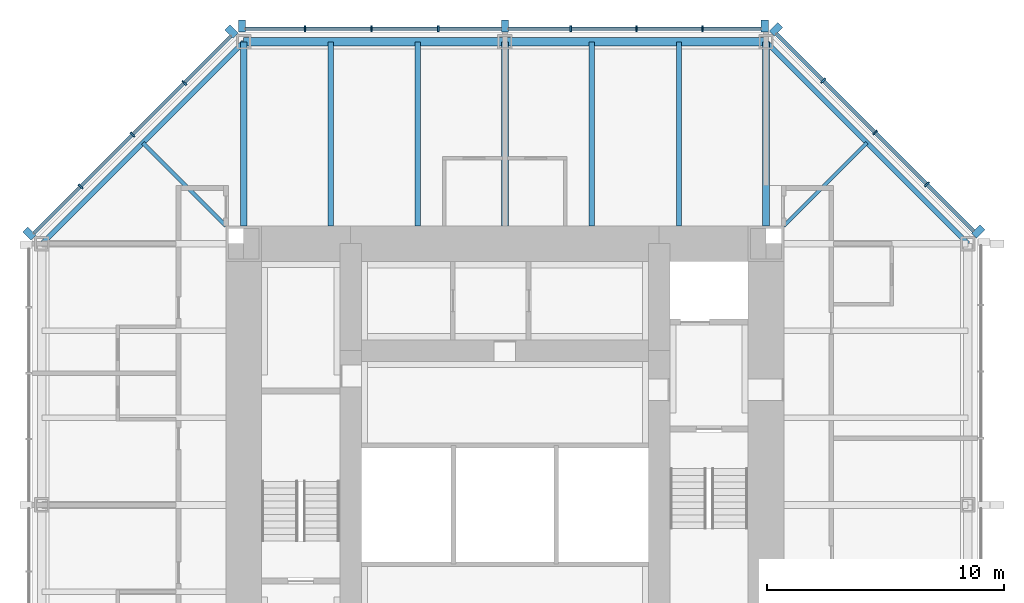
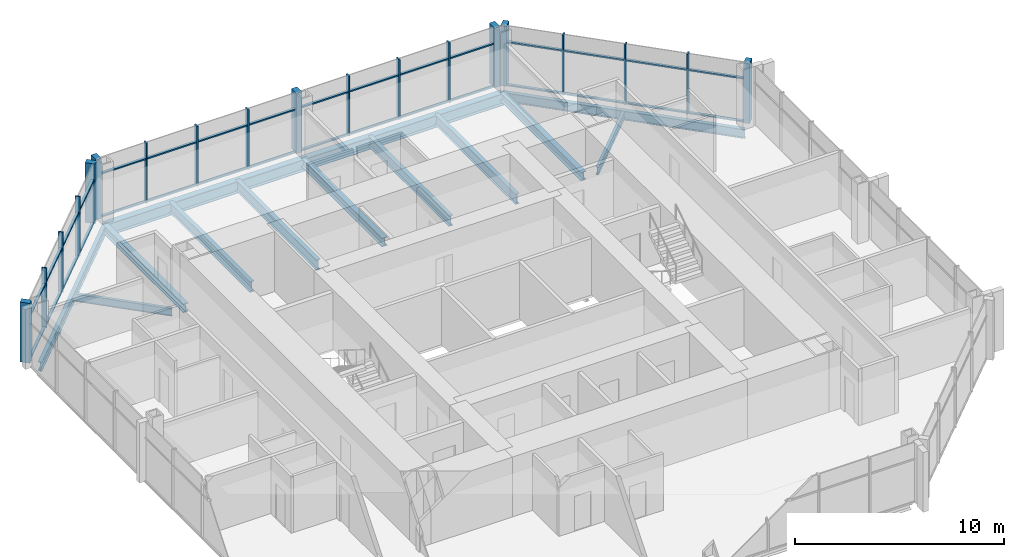
# One storey, part 5 of 11: 51 members, 13 beams, 3 elements without a shape of their own.
"""IFC4 building model written with IfcOpenShell, lengths in metres."""

from ifc_helpers import new_model, si_unit, direction, frame, origin, origin_2d, place, context, subcontext, project, spatial, rectangle, i_section, extrude, material, material_profile, profile_set, type_object, element, aggregate, save


model = new_model("IFC4")

# Units and contexts
model_context = context("Model", 3, precision=1e-05, world=origin(), true_north=direction((0.0, 1.0)))
body_context = subcontext(model_context, "Body", "Model", "MODEL_VIEW")
ifc_project = project(units=[si_unit("LENGTHUNIT", "METRE"), si_unit("AREAUNIT", "SQUARE_METRE"), si_unit("VOLUMEUNIT", "CUBIC_METRE"), si_unit("PLANEANGLEUNIT", "RADIAN"), si_unit("MASSUNIT", "GRAM", prefix="KILO")], contexts=[model_context])

# Site, building, storey
site_placement = place(None, origin())
site = spatial("IfcSite", under=ifc_project, at=site_placement, CompositionType="ELEMENT")
building_placement = place(site_placement, origin())
building = spatial("IfcBuilding", under=site, at=building_placement, Name="Trevanion Tower", CompositionType="ELEMENT")
storey_placement = place(building_placement, frame((0.0, 0.0, 225.699951171875)))
storey = spatial("IfcBuildingStorey", under=building, at=storey_placement, Name="L54", CompositionType="ELEMENT", Elevation=225.699951171875)

# Beams
ifc_material_1 = material(Name="Steel ASTM A992 Grade 50", Category="steel")
ifc_material_profile_1 = material_profile(ifc_material_1, i_section(OverallWidth=0.228271484375, OverallDepth=0.607177734375, WebThickness=0.01123046875, FlangeThickness=0.017333984375, at=origin_2d()), Name="W24X76")
ifc_profile_set_1 = profile_set([ifc_material_profile_1], Name="Steel ASTM A992 Grade 50")
beam_type_1 = type_object("IfcBeamType", Name="B11 W24X76", PredefinedType="BEAM", material=ifc_profile_set_1)
for number, where, z_axis, x_axis, name in (
    (1, (7.333251953125, 11.75, -0.493408203125), (0.0, 1.0, 0.0), (-1.0, 0.0, 0.0), "B11 L54"),
    (2, (3.666748046875, 11.75, -0.493408203125), (0.0, 1.0, 0.0), (-1.0, 0.0, 0.0), "B11 L54"),
    (3, (-3.666748046875, 11.75, -0.493408203125), (0.0, 1.0, 0.0), (-1.0, 0.0, 0.0), "B11 L54"),
    (4, (-7.333251953125, 11.75, -0.493408203125), (0.0, 1.0, 0.0), (-1.0, 0.0, 0.0), "B11 L54"),
):
    element("IfcBeam", number, at=place(storey_placement, frame(where, z_axis=z_axis, x_axis=x_axis)), inside=storey, type_object=beam_type_1, Name=name, PredefinedType="BEAM", context=body_context, shape_type="SweptSolid", body=[
        extrude(i_section(OverallWidth=0.228271484375, OverallDepth=0.607177734375, WebThickness=0.01123046875, FlangeThickness=0.017333984375, at=origin_2d()), origin(), (0.0, 0.0, 1.0), 7.75),
    ])
ifc_material_2 = material(Name="Steel ASTM A992 Grade 50", Category="steel")
ifc_material_profile_2 = material_profile(ifc_material_2, i_section(OverallWidth=0.15234375, OverallDepth=0.449462890625, WebThickness=0.007568359375, FlangeThickness=0.0107421875, at=origin_2d()), Name="W18X35")
ifc_profile_set_2 = profile_set([ifc_material_profile_2], Name="Steel ASTM A992 Grade 50")
beam_type_2 = type_object("IfcBeamType", Name="B12 W18X35", PredefinedType="BEAM", material=ifc_profile_set_2)
for number, where, z_axis, x_axis, name in (
    (5, (11.75, 11.75, -0.414794921875), (0.707106781187, 0.707106781187, 0.0), (-0.707106781187, 0.707106781187, 0.0), "B12 L54"),
    (6, (-11.75, 11.75, -0.414794921875), (-0.707106781187, 0.707106781187, 0.0), (-0.707106781187, -0.707106781187, 0.0), "B12 L54"),
):
    element("IfcBeam", number, at=place(storey_placement, frame(where, z_axis=z_axis, x_axis=x_axis)), inside=storey, type_object=beam_type_2, Name=name, PredefinedType="BEAM", context=body_context, shape_type="SweptSolid", body=[
        extrude(i_section(OverallWidth=0.15234375, OverallDepth=0.449462890625, WebThickness=0.007568359375, FlangeThickness=0.0107421875, at=origin_2d()), origin(), (0.0, 0.0, 1.0), 4.94970703125),
    ])

# Curtain wall, members
ifc_material_3 = material(Name="Aluminium and glass", Category="aluminium")
curtain_wall_type = type_object("IfcCurtainWallType", Name="CW3 curtain wall", PredefinedType="USERDEFINED", material=ifc_material_3)
curtain_wall_1_placement = place(storey_placement, origin())
curtain_wall_1 = element("IfcCurtainWall", 7, at=curtain_wall_1_placement, inside=storey, type_object=curtain_wall_type, Name="CW3 L54 1", ObjectType="UNITISED CURTAIN WALL", PredefinedType="USERDEFINED")
ifc_material_4 = material(Name="Aluminium extrusion, anodised bronze", Category="aluminium")
ifc_material_profile_3 = material_profile(ifc_material_4, rectangle(XDim=0.074951171875, YDim=0.25, at=origin_2d()), Name="CW3 mullion")
ifc_profile_set_3 = profile_set([ifc_material_profile_3], Name="Aluminium extrusion, anodised bronze")
member_type_1 = type_object("IfcMemberType", Name="CW3 mullion", PredefinedType="MULLION", material=ifc_profile_set_3)
member_1_placement = place(storey_placement, frame((17.775390625, 13.502197265625, -0.18994140625), z_axis=(0.0, 0.0, 1.0), x_axis=(-0.707106781187, 0.707106781187, 0.0)))
member_1 = element("IfcMember", 8, at=member_1_placement, type_object=member_type_1, Name="CW3 mullion 2", PredefinedType="MULLION", context=body_context, shape_type="SweptSolid", body=[
    extrude(rectangle(XDim=0.074951171875, YDim=0.25, at=origin_2d()), origin(), (0.0, 0.0, 1.0), 3.5),
])
member_2_placement = place(storey_placement, frame((15.593017578125, 15.684814453125, -0.18994140625), z_axis=(0.0, 0.0, 1.0), x_axis=(-0.707106781187, 0.707106781187, 0.0)))
member_2 = element("IfcMember", 9, at=member_2_placement, type_object=member_type_1, Name="CW3 mullion 3", PredefinedType="MULLION", context=body_context, shape_type="SweptSolid", body=[
    extrude(rectangle(XDim=0.074951171875, YDim=0.25, at=origin_2d()), origin(), (0.0, 0.0, 1.0), 3.5),
])
member_3_placement = place(storey_placement, frame((13.410400390625, 17.867431640625, -0.18994140625), z_axis=(0.0, 0.0, 1.0), x_axis=(-0.707106781187, 0.707106781187, 0.0)))
member_3 = element("IfcMember", 10, at=member_3_placement, type_object=member_type_1, Name="CW3 mullion 4", PredefinedType="MULLION", context=body_context, shape_type="SweptSolid", body=[
    extrude(rectangle(XDim=0.074951171875, YDim=0.25, at=origin_2d()), origin(), (0.0, 0.0, 1.0), 3.5),
])

curtain_wall_2_placement = place(storey_placement, origin())
curtain_wall_2 = element("IfcCurtainWall", 11, at=curtain_wall_2_placement, inside=storey, type_object=curtain_wall_type, Name="CW3 L54 2", ObjectType="UNITISED CURTAIN WALL", PredefinedType="USERDEFINED")
member_4_placement = place(storey_placement, frame((8.323486328125, 20.050048828125, -0.18994140625), z_axis=(0.0, 0.0, 1.0), x_axis=(-1.0, 0.0, 0.0)))
member_4 = element("IfcMember", 12, at=member_4_placement, type_object=member_type_1, Name="CW3 mullion 2", PredefinedType="MULLION", context=body_context, shape_type="SweptSolid", body=[
    extrude(rectangle(XDim=0.074951171875, YDim=0.25, at=origin_2d()), origin(), (0.0, 0.0, 1.0), 3.5),
])
member_5_placement = place(storey_placement, frame((5.548828125, 20.050048828125, -0.18994140625), z_axis=(0.0, 0.0, 1.0), x_axis=(-1.0, 0.0, 0.0)))
member_5 = element("IfcMember", 13, at=member_5_placement, type_object=member_type_1, Name="CW3 mullion 3", PredefinedType="MULLION", context=body_context, shape_type="SweptSolid", body=[
    extrude(rectangle(XDim=0.074951171875, YDim=0.25, at=origin_2d()), origin(), (0.0, 0.0, 1.0), 3.5),
])
member_6_placement = place(storey_placement, frame((2.7744140625, 20.050048828125, -0.18994140625), z_axis=(0.0, 0.0, 1.0), x_axis=(-1.0, 0.0, 0.0)))
member_6 = element("IfcMember", 14, at=member_6_placement, type_object=member_type_1, Name="CW3 mullion 4", PredefinedType="MULLION", context=body_context, shape_type="SweptSolid", body=[
    extrude(rectangle(XDim=0.074951171875, YDim=0.25, at=origin_2d()), origin(), (0.0, 0.0, 1.0), 3.5),
])
member_7_placement = place(storey_placement, frame((-2.806884765625, 20.050048828125, -0.18994140625), z_axis=(0.0, 0.0, 1.0), x_axis=(-1.0, 0.0, 0.0)))
member_7 = element("IfcMember", 15, at=member_7_placement, type_object=member_type_1, Name="CW3 mullion 6", PredefinedType="MULLION", context=body_context, shape_type="SweptSolid", body=[
    extrude(rectangle(XDim=0.074951171875, YDim=0.25, at=origin_2d()), origin(), (0.0, 0.0, 1.0), 3.5),
])
member_8_placement = place(storey_placement, frame((-5.614013671875, 20.050048828125, -0.18994140625), z_axis=(0.0, 0.0, 1.0), x_axis=(-1.0, 0.0, 0.0)))
member_8 = element("IfcMember", 16, at=member_8_placement, type_object=member_type_1, Name="CW3 mullion 7", PredefinedType="MULLION", context=body_context, shape_type="SweptSolid", body=[
    extrude(rectangle(XDim=0.074951171875, YDim=0.25, at=origin_2d()), origin(), (0.0, 0.0, 1.0), 3.5),
])
member_9_placement = place(storey_placement, frame((-8.4208984375, 20.050048828125, -0.18994140625), z_axis=(0.0, 0.0, 1.0), x_axis=(-1.0, 0.0, 0.0)))
member_9 = element("IfcMember", 17, at=member_9_placement, type_object=member_type_1, Name="CW3 mullion 8", PredefinedType="MULLION", context=body_context, shape_type="SweptSolid", body=[
    extrude(rectangle(XDim=0.074951171875, YDim=0.25, at=origin_2d()), origin(), (0.0, 0.0, 1.0), 3.5),
])

curtain_wall_3_placement = place(storey_placement, origin())
curtain_wall_3 = element("IfcCurtainWall", 18, at=curtain_wall_3_placement, inside=storey, type_object=curtain_wall_type, Name="CW3 L54 3", ObjectType="UNITISED CURTAIN WALL", PredefinedType="USERDEFINED")
member_10_placement = place(storey_placement, frame((-13.502197265625, 17.775390625, -0.18994140625), z_axis=(0.0, 0.0, 1.0), x_axis=(-0.707106781187, -0.707106781187, 0.0)))
member_10 = element("IfcMember", 19, at=member_10_placement, type_object=member_type_1, Name="CW3 mullion 2", PredefinedType="MULLION", context=body_context, shape_type="SweptSolid", body=[
    extrude(rectangle(XDim=0.074951171875, YDim=0.25, at=origin_2d()), origin(), (0.0, 0.0, 1.0), 3.5),
])
member_11_placement = place(storey_placement, frame((-15.684814453125, 15.593017578125, -0.18994140625), z_axis=(0.0, 0.0, 1.0), x_axis=(-0.707106781187, -0.707106781187, 0.0)))
member_11 = element("IfcMember", 20, at=member_11_placement, type_object=member_type_1, Name="CW3 mullion 3", PredefinedType="MULLION", context=body_context, shape_type="SweptSolid", body=[
    extrude(rectangle(XDim=0.074951171875, YDim=0.25, at=origin_2d()), origin(), (0.0, 0.0, 1.0), 3.5),
])
member_12_placement = place(storey_placement, frame((-17.867431640625, 13.410400390625, -0.18994140625), z_axis=(0.0, 0.0, 1.0), x_axis=(-0.707106781187, -0.707106781187, 0.0)))
member_12 = element("IfcMember", 21, at=member_12_placement, type_object=member_type_1, Name="CW3 mullion 4", PredefinedType="MULLION", context=body_context, shape_type="SweptSolid", body=[
    extrude(rectangle(XDim=0.074951171875, YDim=0.25, at=origin_2d()), origin(), (0.0, 0.0, 1.0), 3.5),
])

# Member
ifc_material_5 = material(Name="Aluminium extrusion, anodised bronze", Category="aluminium")
ifc_material_profile_4 = material_profile(ifc_material_5, rectangle(XDim=0.300048828125, YDim=0.5, at=origin_2d()), Name="CW3 pier mullion")
ifc_profile_set_4 = profile_set([ifc_material_profile_4], Name="Aluminium extrusion, anodised bronze")
member_type_2 = type_object("IfcMemberType", Name="CW3 pier mullion", PredefinedType="MULLION", material=ifc_profile_set_4)
member_13_placement = place(storey_placement, frame((19.9404296875, 11.51416015625, -0.18994140625), z_axis=(0.0, 0.0, 1.0), x_axis=(-0.707106781187, 0.707106781187, 0.0)))
member_13 = element("IfcMember", 22, at=member_13_placement, type_object=member_type_2, Name="CW3 pier mullion 1", PredefinedType="MULLION", context=body_context, shape_type="SweptSolid", body=[
    extrude(rectangle(XDim=0.300048828125, YDim=0.5, at=origin_2d()), origin(), (0.0, 0.0, 1.0), 3.5),
])

member_14_placement = place(storey_placement, frame((11.42236328125, 20.0322265625, -0.18994140625), z_axis=(0.0, 0.0, 1.0), x_axis=(-0.707106781187, 0.707106781187, 0.0)))
member_14 = element("IfcMember", 23, at=member_14_placement, type_object=member_type_2, Name="CW3 pier mullion 5", PredefinedType="MULLION", context=body_context, shape_type="SweptSolid", body=[
    extrude(rectangle(XDim=0.300048828125, YDim=0.5, at=origin_2d()), origin(), (0.0, 0.0, 1.0), 3.5),
])

member_15_placement = place(storey_placement, frame((10.94775390625, 20.175048828125, -0.18994140625), z_axis=(0.0, 0.0, 1.0), x_axis=(-1.0, 0.0, 0.0)))
member_15 = element("IfcMember", 24, at=member_15_placement, type_object=member_type_2, Name="CW3 pier mullion 1", PredefinedType="MULLION", context=body_context, shape_type="SweptSolid", body=[
    extrude(rectangle(XDim=0.300048828125, YDim=0.5, at=origin_2d()), origin(), (0.0, 0.0, 1.0), 3.5),
])

member_16_placement = place(storey_placement, frame((0.0, 20.175048828125, -0.18994140625), z_axis=(0.0, 0.0, 1.0), x_axis=(-1.0, 0.0, 0.0)))
member_16 = element("IfcMember", 25, at=member_16_placement, type_object=member_type_2, Name="CW3 pier mullion 5", PredefinedType="MULLION", context=body_context, shape_type="SweptSolid", body=[
    extrude(rectangle(XDim=0.300048828125, YDim=0.5, at=origin_2d()), origin(), (0.0, 0.0, 1.0), 3.5),
])

member_17_placement = place(storey_placement, frame((-11.077880859375, 20.175048828125, -0.18994140625), z_axis=(0.0, 0.0, 1.0), x_axis=(-1.0, 0.0, 0.0)))
member_17 = element("IfcMember", 26, at=member_17_placement, type_object=member_type_2, Name="CW3 pier mullion 9", PredefinedType="MULLION", context=body_context, shape_type="SweptSolid", body=[
    extrude(rectangle(XDim=0.300048828125, YDim=0.5, at=origin_2d()), origin(), (0.0, 0.0, 1.0), 3.5),
])

member_18_placement = place(storey_placement, frame((-11.51416015625, 19.9404296875, -0.18994140625), z_axis=(0.0, 0.0, 1.0), x_axis=(-0.707106781187, -0.707106781187, 0.0)))
member_18 = element("IfcMember", 27, at=member_18_placement, type_object=member_type_2, Name="CW3 pier mullion 1", PredefinedType="MULLION", context=body_context, shape_type="SweptSolid", body=[
    extrude(rectangle(XDim=0.300048828125, YDim=0.5, at=origin_2d()), origin(), (0.0, 0.0, 1.0), 3.5),
])

member_19_placement = place(storey_placement, frame((-20.0322265625, 11.42236328125, -0.18994140625), z_axis=(0.0, 0.0, 1.0), x_axis=(-0.707106781187, -0.707106781187, 0.0)))
member_19 = element("IfcMember", 28, at=member_19_placement, type_object=member_type_2, Name="CW3 pier mullion 5", PredefinedType="MULLION", context=body_context, shape_type="SweptSolid", body=[
    extrude(rectangle(XDim=0.300048828125, YDim=0.5, at=origin_2d()), origin(), (0.0, 0.0, 1.0), 3.5),
])

ifc_material_6 = material(Name="Aluminium extrusion, anodised bronze", Category="aluminium")
ifc_material_profile_5 = material_profile(ifc_material_6, rectangle(XDim=0.14990234375, YDim=0.074951171875, at=origin_2d()), Name="CW3 transom")
ifc_profile_set_5 = profile_set([ifc_material_profile_5], Name="Aluminium extrusion, anodised bronze")
member_type_3 = type_object("IfcMemberType", Name="CW3 transom", PredefinedType="USERDEFINED", material=ifc_profile_set_5)
member_20_placement = place(storey_placement, frame((19.745849609375, 11.531982421875, -0.15234375), z_axis=(-0.707106781187, 0.707106781187, 0.0), x_axis=(-0.707106781187, -0.707106781187, 0.0)))
member_20 = element("IfcMember", 29, at=member_20_placement, type_object=member_type_3, Name="CW3 transom 1.1", ObjectType="TRANSOM", PredefinedType="USERDEFINED", context=body_context, shape_type="SweptSolid", body=[
    extrude(rectangle(XDim=0.14990234375, YDim=0.074951171875, at=origin_2d()), origin(), (0.0, 0.0, 1.0), 2.7490234375),
])

member_21_placement = place(storey_placement, frame((19.745849609375, 11.531982421875, 2.360107421875), z_axis=(-0.707106781187, 0.707106781187, 0.0), x_axis=(-0.707106781187, -0.707106781187, 0.0)))
member_21 = element("IfcMember", 30, at=member_21_placement, type_object=member_type_3, Name="CW3 transom 1.2", ObjectType="TRANSOM", PredefinedType="USERDEFINED", context=body_context, shape_type="SweptSolid", body=[
    extrude(rectangle(XDim=0.14990234375, YDim=0.074951171875, at=origin_2d()), origin(), (0.0, 0.0, 1.0), 2.7490234375),
])

member_22_placement = place(storey_placement, frame((17.7490234375, 13.52880859375, -0.15234375), z_axis=(-0.707106781187, 0.707106781187, 0.0), x_axis=(-0.707106781187, -0.707106781187, 0.0)))
member_22 = element("IfcMember", 31, at=member_22_placement, type_object=member_type_3, Name="CW3 transom 2.1", ObjectType="TRANSOM", PredefinedType="USERDEFINED", context=body_context, shape_type="SweptSolid", body=[
    extrude(rectangle(XDim=0.14990234375, YDim=0.074951171875, at=origin_2d()), origin(), (0.0, 0.0, 1.0), 3.01171875),
])

member_23_placement = place(storey_placement, frame((17.7490234375, 13.52880859375, 2.360107421875), z_axis=(-0.707106781187, 0.707106781187, 0.0), x_axis=(-0.707106781187, -0.707106781187, 0.0)))
member_23 = element("IfcMember", 32, at=member_23_placement, type_object=member_type_3, Name="CW3 transom 2.2", ObjectType="TRANSOM", PredefinedType="USERDEFINED", context=body_context, shape_type="SweptSolid", body=[
    extrude(rectangle(XDim=0.14990234375, YDim=0.074951171875, at=origin_2d()), origin(), (0.0, 0.0, 1.0), 3.01171875),
])

member_24_placement = place(storey_placement, frame((15.56640625, 15.71142578125, -0.15234375), z_axis=(-0.707106781187, 0.707106781187, 0.0), x_axis=(-0.707106781187, -0.707106781187, 0.0)))
member_24 = element("IfcMember", 33, at=member_24_placement, type_object=member_type_3, Name="CW3 transom 3.1", ObjectType="TRANSOM", PredefinedType="USERDEFINED", context=body_context, shape_type="SweptSolid", body=[
    extrude(rectangle(XDim=0.14990234375, YDim=0.074951171875, at=origin_2d()), origin(), (0.0, 0.0, 1.0), 3.011474609375),
])

member_25_placement = place(storey_placement, frame((15.56640625, 15.71142578125, 2.360107421875), z_axis=(-0.707106781187, 0.707106781187, 0.0), x_axis=(-0.707106781187, -0.707106781187, 0.0)))
member_25 = element("IfcMember", 34, at=member_25_placement, type_object=member_type_3, Name="CW3 transom 3.2", ObjectType="TRANSOM", PredefinedType="USERDEFINED", context=body_context, shape_type="SweptSolid", body=[
    extrude(rectangle(XDim=0.14990234375, YDim=0.074951171875, at=origin_2d()), origin(), (0.0, 0.0, 1.0), 3.011474609375),
])

member_26_placement = place(storey_placement, frame((13.3837890625, 17.89404296875, -0.15234375), z_axis=(-0.707106781187, 0.707106781187, 0.0), x_axis=(-0.707106781187, -0.707106781187, 0.0)))
member_26 = element("IfcMember", 35, at=member_26_placement, type_object=member_type_3, Name="CW3 transom 4.1", ObjectType="TRANSOM", PredefinedType="USERDEFINED", context=body_context, shape_type="SweptSolid", body=[
    extrude(rectangle(XDim=0.14990234375, YDim=0.074951171875, at=origin_2d()), origin(), (0.0, 0.0, 1.0), 2.7490234375),
])

member_27_placement = place(storey_placement, frame((13.3837890625, 17.89404296875, 2.360107421875), z_axis=(-0.707106781187, 0.707106781187, 0.0), x_axis=(-0.707106781187, -0.707106781187, 0.0)))
member_27 = element("IfcMember", 36, at=member_27_placement, type_object=member_type_3, Name="CW3 transom 4.2", ObjectType="TRANSOM", PredefinedType="USERDEFINED", context=body_context, shape_type="SweptSolid", body=[
    extrude(rectangle(XDim=0.14990234375, YDim=0.074951171875, at=origin_2d()), origin(), (0.0, 0.0, 1.0), 2.7490234375),
])

aggregate(curtain_wall_1, [member_13, member_1, member_2, member_3, member_14, member_20, member_21, member_22, member_23, member_24, member_25, member_26, member_27])

member_28_placement = place(storey_placement, frame((10.7978515625, 20.050048828125, -0.15234375), z_axis=(-1.0, 0.0, 0.0), x_axis=(0.0, -1.0, 0.0)))
member_28 = element("IfcMember", 37, at=member_28_placement, type_object=member_type_3, Name="CW3 transom 1.1", ObjectType="TRANSOM", PredefinedType="USERDEFINED", context=body_context, shape_type="SweptSolid", body=[
    extrude(rectangle(XDim=0.14990234375, YDim=0.074951171875, at=origin_2d()), origin(), (0.0, 0.0, 1.0), 2.43701171875),
])

member_29_placement = place(storey_placement, frame((10.7978515625, 20.050048828125, 2.360107421875), z_axis=(-1.0, 0.0, 0.0), x_axis=(0.0, -1.0, 0.0)))
member_29 = element("IfcMember", 38, at=member_29_placement, type_object=member_type_3, Name="CW3 transom 1.2", ObjectType="TRANSOM", PredefinedType="USERDEFINED", context=body_context, shape_type="SweptSolid", body=[
    extrude(rectangle(XDim=0.14990234375, YDim=0.074951171875, at=origin_2d()), origin(), (0.0, 0.0, 1.0), 2.43701171875),
])

member_30_placement = place(storey_placement, frame((8.285888671875, 20.050048828125, -0.15234375), z_axis=(-1.0, 0.0, 0.0), x_axis=(0.0, -1.0, 0.0)))
member_30 = element("IfcMember", 39, at=member_30_placement, type_object=member_type_3, Name="CW3 transom 2.1", ObjectType="TRANSOM", PredefinedType="USERDEFINED", context=body_context, shape_type="SweptSolid", body=[
    extrude(rectangle(XDim=0.14990234375, YDim=0.074951171875, at=origin_2d()), origin(), (0.0, 0.0, 1.0), 2.699462890625),
])

member_31_placement = place(storey_placement, frame((8.285888671875, 20.050048828125, 2.360107421875), z_axis=(-1.0, 0.0, 0.0), x_axis=(0.0, -1.0, 0.0)))
member_31 = element("IfcMember", 40, at=member_31_placement, type_object=member_type_3, Name="CW3 transom 2.2", ObjectType="TRANSOM", PredefinedType="USERDEFINED", context=body_context, shape_type="SweptSolid", body=[
    extrude(rectangle(XDim=0.14990234375, YDim=0.074951171875, at=origin_2d()), origin(), (0.0, 0.0, 1.0), 2.699462890625),
])

member_32_placement = place(storey_placement, frame((5.511474609375, 20.050048828125, -0.15234375), z_axis=(-1.0, 0.0, 0.0), x_axis=(0.0, -1.0, 0.0)))
member_32 = element("IfcMember", 41, at=member_32_placement, type_object=member_type_3, Name="CW3 transom 3.1", ObjectType="TRANSOM", PredefinedType="USERDEFINED", context=body_context, shape_type="SweptSolid", body=[
    extrude(rectangle(XDim=0.14990234375, YDim=0.074951171875, at=origin_2d()), origin(), (0.0, 0.0, 1.0), 2.699462890625),
])

member_33_placement = place(storey_placement, frame((5.511474609375, 20.050048828125, 2.360107421875), z_axis=(-1.0, 0.0, 0.0), x_axis=(0.0, -1.0, 0.0)))
member_33 = element("IfcMember", 42, at=member_33_placement, type_object=member_type_3, Name="CW3 transom 3.2", ObjectType="TRANSOM", PredefinedType="USERDEFINED", context=body_context, shape_type="SweptSolid", body=[
    extrude(rectangle(XDim=0.14990234375, YDim=0.074951171875, at=origin_2d()), origin(), (0.0, 0.0, 1.0), 2.699462890625),
])

member_34_placement = place(storey_placement, frame((2.737060546875, 20.050048828125, -0.15234375), z_axis=(-1.0, 0.0, 0.0), x_axis=(0.0, -1.0, 0.0)))
member_34 = element("IfcMember", 43, at=member_34_placement, type_object=member_type_3, Name="CW3 transom 4.1", ObjectType="TRANSOM", PredefinedType="USERDEFINED", context=body_context, shape_type="SweptSolid", body=[
    extrude(rectangle(XDim=0.14990234375, YDim=0.074951171875, at=origin_2d()), origin(), (0.0, 0.0, 1.0), 2.587158203125),
])

member_35_placement = place(storey_placement, frame((2.737060546875, 20.050048828125, 2.360107421875), z_axis=(-1.0, 0.0, 0.0), x_axis=(0.0, -1.0, 0.0)))
member_35 = element("IfcMember", 44, at=member_35_placement, type_object=member_type_3, Name="CW3 transom 4.2", ObjectType="TRANSOM", PredefinedType="USERDEFINED", context=body_context, shape_type="SweptSolid", body=[
    extrude(rectangle(XDim=0.14990234375, YDim=0.074951171875, at=origin_2d()), origin(), (0.0, 0.0, 1.0), 2.587158203125),
])

member_36_placement = place(storey_placement, frame((-0.14990234375, 20.050048828125, -0.15234375), z_axis=(-1.0, 0.0, 0.0), x_axis=(0.0, -1.0, 0.0)))
member_36 = element("IfcMember", 45, at=member_36_placement, type_object=member_type_3, Name="CW3 transom 5.1", ObjectType="TRANSOM", PredefinedType="USERDEFINED", context=body_context, shape_type="SweptSolid", body=[
    extrude(rectangle(XDim=0.14990234375, YDim=0.074951171875, at=origin_2d()), origin(), (0.0, 0.0, 1.0), 2.619384765625),
])

member_37_placement = place(storey_placement, frame((-0.14990234375, 20.050048828125, 2.360107421875), z_axis=(-1.0, 0.0, 0.0), x_axis=(0.0, -1.0, 0.0)))
member_37 = element("IfcMember", 46, at=member_37_placement, type_object=member_type_3, Name="CW3 transom 5.2", ObjectType="TRANSOM", PredefinedType="USERDEFINED", context=body_context, shape_type="SweptSolid", body=[
    extrude(rectangle(XDim=0.14990234375, YDim=0.074951171875, at=origin_2d()), origin(), (0.0, 0.0, 1.0), 2.619384765625),
])

member_38_placement = place(storey_placement, frame((-2.844482421875, 20.050048828125, -0.15234375), z_axis=(-1.0, 0.0, 0.0), x_axis=(0.0, -1.0, 0.0)))
member_38 = element("IfcMember", 47, at=member_38_placement, type_object=member_type_3, Name="CW3 transom 6.1", ObjectType="TRANSOM", PredefinedType="USERDEFINED", context=body_context, shape_type="SweptSolid", body=[
    extrude(rectangle(XDim=0.14990234375, YDim=0.074951171875, at=origin_2d()), origin(), (0.0, 0.0, 1.0), 2.73193359375),
])

member_39_placement = place(storey_placement, frame((-2.844482421875, 20.050048828125, 2.360107421875), z_axis=(-1.0, 0.0, 0.0), x_axis=(0.0, -1.0, 0.0)))
member_39 = element("IfcMember", 48, at=member_39_placement, type_object=member_type_3, Name="CW3 transom 6.2", ObjectType="TRANSOM", PredefinedType="USERDEFINED", context=body_context, shape_type="SweptSolid", body=[
    extrude(rectangle(XDim=0.14990234375, YDim=0.074951171875, at=origin_2d()), origin(), (0.0, 0.0, 1.0), 2.73193359375),
])

member_40_placement = place(storey_placement, frame((-5.6513671875, 20.050048828125, -0.15234375), z_axis=(-1.0, 0.0, 0.0), x_axis=(0.0, -1.0, 0.0)))
member_40 = element("IfcMember", 49, at=member_40_placement, type_object=member_type_3, Name="CW3 transom 7.1", ObjectType="TRANSOM", PredefinedType="USERDEFINED", context=body_context, shape_type="SweptSolid", body=[
    extrude(rectangle(XDim=0.14990234375, YDim=0.074951171875, at=origin_2d()), origin(), (0.0, 0.0, 1.0), 2.73193359375),
])

member_41_placement = place(storey_placement, frame((-5.6513671875, 20.050048828125, 2.360107421875), z_axis=(-1.0, 0.0, 0.0), x_axis=(0.0, -1.0, 0.0)))
member_41 = element("IfcMember", 50, at=member_41_placement, type_object=member_type_3, Name="CW3 transom 7.2", ObjectType="TRANSOM", PredefinedType="USERDEFINED", context=body_context, shape_type="SweptSolid", body=[
    extrude(rectangle(XDim=0.14990234375, YDim=0.074951171875, at=origin_2d()), origin(), (0.0, 0.0, 1.0), 2.73193359375),
])

member_42_placement = place(storey_placement, frame((-8.45849609375, 20.050048828125, -0.15234375), z_axis=(-1.0, 0.0, 0.0), x_axis=(0.0, -1.0, 0.0)))
member_42 = element("IfcMember", 51, at=member_42_placement, type_object=member_type_3, Name="CW3 transom 8.1", ObjectType="TRANSOM", PredefinedType="USERDEFINED", context=body_context, shape_type="SweptSolid", body=[
    extrude(rectangle(XDim=0.14990234375, YDim=0.074951171875, at=origin_2d()), origin(), (0.0, 0.0, 1.0), 2.46923828125),
])

member_43_placement = place(storey_placement, frame((-8.45849609375, 20.050048828125, 2.360107421875), z_axis=(-1.0, 0.0, 0.0), x_axis=(0.0, -1.0, 0.0)))
member_43 = element("IfcMember", 52, at=member_43_placement, type_object=member_type_3, Name="CW3 transom 8.2", ObjectType="TRANSOM", PredefinedType="USERDEFINED", context=body_context, shape_type="SweptSolid", body=[
    extrude(rectangle(XDim=0.14990234375, YDim=0.074951171875, at=origin_2d()), origin(), (0.0, 0.0, 1.0), 2.46923828125),
])

aggregate(curtain_wall_2, [member_15, member_4, member_5, member_6, member_16, member_7, member_8, member_9, member_17, member_28, member_29, member_30, member_31, member_32, member_33, member_34, member_35, member_36, member_37, member_38, member_39, member_40, member_41, member_42, member_43])

member_44_placement = place(storey_placement, frame((-11.531982421875, 19.745849609375, -0.15234375), z_axis=(-0.707106781187, -0.707106781187, 0.0), x_axis=(0.707106781187, -0.707106781187, 0.0)))
member_44 = element("IfcMember", 53, at=member_44_placement, type_object=member_type_3, Name="CW3 transom 1.1", ObjectType="TRANSOM", PredefinedType="USERDEFINED", context=body_context, shape_type="SweptSolid", body=[
    extrude(rectangle(XDim=0.14990234375, YDim=0.074951171875, at=origin_2d()), origin(), (0.0, 0.0, 1.0), 2.7490234375),
])

member_45_placement = place(storey_placement, frame((-11.531982421875, 19.745849609375, 2.360107421875), z_axis=(-0.707106781187, -0.707106781187, 0.0), x_axis=(0.707106781187, -0.707106781187, 0.0)))
member_45 = element("IfcMember", 54, at=member_45_placement, type_object=member_type_3, Name="CW3 transom 1.2", ObjectType="TRANSOM", PredefinedType="USERDEFINED", context=body_context, shape_type="SweptSolid", body=[
    extrude(rectangle(XDim=0.14990234375, YDim=0.074951171875, at=origin_2d()), origin(), (0.0, 0.0, 1.0), 2.7490234375),
])

member_46_placement = place(storey_placement, frame((-13.52880859375, 17.7490234375, -0.15234375), z_axis=(-0.707106781187, -0.707106781187, 0.0), x_axis=(0.707106781187, -0.707106781187, 0.0)))
member_46 = element("IfcMember", 55, at=member_46_placement, type_object=member_type_3, Name="CW3 transom 2.1", ObjectType="TRANSOM", PredefinedType="USERDEFINED", context=body_context, shape_type="SweptSolid", body=[
    extrude(rectangle(XDim=0.14990234375, YDim=0.074951171875, at=origin_2d()), origin(), (0.0, 0.0, 1.0), 3.01171875),
])

member_47_placement = place(storey_placement, frame((-13.52880859375, 17.7490234375, 2.360107421875), z_axis=(-0.707106781187, -0.707106781187, 0.0), x_axis=(0.707106781187, -0.707106781187, 0.0)))
member_47 = element("IfcMember", 56, at=member_47_placement, type_object=member_type_3, Name="CW3 transom 2.2", ObjectType="TRANSOM", PredefinedType="USERDEFINED", context=body_context, shape_type="SweptSolid", body=[
    extrude(rectangle(XDim=0.14990234375, YDim=0.074951171875, at=origin_2d()), origin(), (0.0, 0.0, 1.0), 3.01171875),
])

member_48_placement = place(storey_placement, frame((-15.71142578125, 15.56640625, -0.15234375), z_axis=(-0.707106781187, -0.707106781187, 0.0), x_axis=(0.707106781187, -0.707106781187, 0.0)))
member_48 = element("IfcMember", 57, at=member_48_placement, type_object=member_type_3, Name="CW3 transom 3.1", ObjectType="TRANSOM", PredefinedType="USERDEFINED", context=body_context, shape_type="SweptSolid", body=[
    extrude(rectangle(XDim=0.14990234375, YDim=0.074951171875, at=origin_2d()), origin(), (0.0, 0.0, 1.0), 3.011474609375),
])

member_49_placement = place(storey_placement, frame((-15.71142578125, 15.56640625, 2.360107421875), z_axis=(-0.707106781187, -0.707106781187, 0.0), x_axis=(0.707106781187, -0.707106781187, 0.0)))
member_49 = element("IfcMember", 58, at=member_49_placement, type_object=member_type_3, Name="CW3 transom 3.2", ObjectType="TRANSOM", PredefinedType="USERDEFINED", context=body_context, shape_type="SweptSolid", body=[
    extrude(rectangle(XDim=0.14990234375, YDim=0.074951171875, at=origin_2d()), origin(), (0.0, 0.0, 1.0), 3.011474609375),
])

member_50_placement = place(storey_placement, frame((-17.89404296875, 13.3837890625, -0.15234375), z_axis=(-0.707106781187, -0.707106781187, 0.0), x_axis=(0.707106781187, -0.707106781187, 0.0)))
member_50 = element("IfcMember", 59, at=member_50_placement, type_object=member_type_3, Name="CW3 transom 4.1", ObjectType="TRANSOM", PredefinedType="USERDEFINED", context=body_context, shape_type="SweptSolid", body=[
    extrude(rectangle(XDim=0.14990234375, YDim=0.074951171875, at=origin_2d()), origin(), (0.0, 0.0, 1.0), 2.7490234375),
])

member_51_placement = place(storey_placement, frame((-17.89404296875, 13.3837890625, 2.360107421875), z_axis=(-0.707106781187, -0.707106781187, 0.0), x_axis=(0.707106781187, -0.707106781187, 0.0)))
member_51 = element("IfcMember", 60, at=member_51_placement, type_object=member_type_3, Name="CW3 transom 4.2", ObjectType="TRANSOM", PredefinedType="USERDEFINED", context=body_context, shape_type="SweptSolid", body=[
    extrude(rectangle(XDim=0.14990234375, YDim=0.074951171875, at=origin_2d()), origin(), (0.0, 0.0, 1.0), 2.7490234375),
])

aggregate(curtain_wall_3, [member_18, member_10, member_11, member_12, member_19, member_44, member_45, member_46, member_47, member_48, member_49, member_50, member_51])

# Beams
ifc_material_7 = material(Name="Steel ASTM A992 Grade 50", Category="steel")
ifc_material_profile_6 = material_profile(ifc_material_7, i_section(OverallWidth=0.28955078125, OverallDepth=0.508056640625, WebThickness=0.022705078125, FlangeThickness=0.040283203125, at=origin_2d()), Name="W18X175")
ifc_profile_set_6 = profile_set([ifc_material_profile_6], Name="Steel ASTM A992 Grade 50")
beam_type_3 = type_object("IfcBeamType", Name="G6 W18X175", PredefinedType="BEAM", material=ifc_profile_set_6)
for number, where, z_axis, x_axis, name in (
    (61, (11.0, 11.75, -0.44384765625), (0.0, 1.0, 0.0), (-1.0, 0.0, 0.0), "G6 L54"),
    (62, (0.0, 11.75, -0.44384765625), (0.0, 1.0, 0.0), (-1.0, 0.0, 0.0), "G6 L54"),
    (63, (-11.0, 11.75, -0.44384765625), (0.0, 1.0, 0.0), (-1.0, 0.0, 0.0), "G6 L54"),
):
    element("IfcBeam", number, at=place(storey_placement, frame(where, z_axis=z_axis, x_axis=x_axis)), inside=storey, type_object=beam_type_3, Name=name, PredefinedType="BEAM", context=body_context, shape_type="SweptSolid", body=[
        extrude(i_section(OverallWidth=0.28955078125, OverallDepth=0.508056640625, WebThickness=0.022705078125, FlangeThickness=0.040283203125, at=origin_2d()), origin(), (0.0, 0.0, 1.0), 7.75),
    ])
ifc_material_8 = material(Name="Steel ASTM A992 Grade 50", Category="steel")
ifc_material_profile_7 = material_profile(ifc_material_8, i_section(OverallWidth=0.355712890625, OverallDepth=0.696044921875, WebThickness=0.015380859375, FlangeThickness=0.024658203125, at=origin_2d()), Name="W27X146")
ifc_profile_set_7 = profile_set([ifc_material_profile_7], Name="Steel ASTM A992 Grade 50")
beam_type_4 = type_object("IfcBeamType", Name="SB8 W27X146", PredefinedType="SPANDREL", material=ifc_profile_set_7)
for number, where, z_axis, x_axis, name in (
    (64, (11.0, 19.5, -0.537841796875), (-1.0, 0.0, 0.0), (0.0, -1.0, 0.0), "SB8 L54"),
    (65, (0.0, 19.5, -0.537841796875), (-1.0, 0.0, 0.0), (0.0, -1.0, 0.0), "SB8 L54"),
):
    element("IfcBeam", number, at=place(storey_placement, frame(where, z_axis=z_axis, x_axis=x_axis)), inside=storey, type_object=beam_type_4, Name=name, PredefinedType="SPANDREL", context=body_context, shape_type="SweptSolid", body=[
        extrude(i_section(OverallWidth=0.355712890625, OverallDepth=0.696044921875, WebThickness=0.015380859375, FlangeThickness=0.024658203125, at=origin_2d()), origin(), (0.0, 0.0, 1.0), 11.0),
    ])
ifc_material_9 = material(Name="Steel ASTM A992 Grade 50", Category="steel")
ifc_material_profile_8 = material_profile(ifc_material_9, i_section(OverallWidth=0.209228515625, OverallDepth=0.533447265625, WebThickness=0.01025390625, FlangeThickness=0.015625, at=origin_2d()), Name="W21X62")
ifc_profile_set_8 = profile_set([ifc_material_profile_8], Name="Steel ASTM A992 Grade 50")
beam_type_5 = type_object("IfcBeamType", Name="SB9 W21X62", PredefinedType="SPANDREL", material=ifc_profile_set_8)
for number, where, z_axis, x_axis, name in (
    (66, (19.5, 11.0, -0.45654296875), (-0.707106781187, 0.707106781187, 0.0), (-0.707106781187, -0.707106781187, 0.0), "SB9 L54"),
    (67, (-11.0, 19.5, -0.45654296875), (-0.707106781187, -0.707106781187, 0.0), (0.707106781187, -0.707106781187, 0.0), "SB9 L54"),
):
    element("IfcBeam", number, at=place(storey_placement, frame(where, z_axis=z_axis, x_axis=x_axis)), inside=storey, type_object=beam_type_5, Name=name, PredefinedType="SPANDREL", context=body_context, shape_type="SweptSolid", body=[
        extrude(i_section(OverallWidth=0.209228515625, OverallDepth=0.533447265625, WebThickness=0.01025390625, FlangeThickness=0.015625, at=origin_2d()), origin(), (0.0, 0.0, 1.0), 12.020751953125),
    ])

save(model, "model.ifc")
